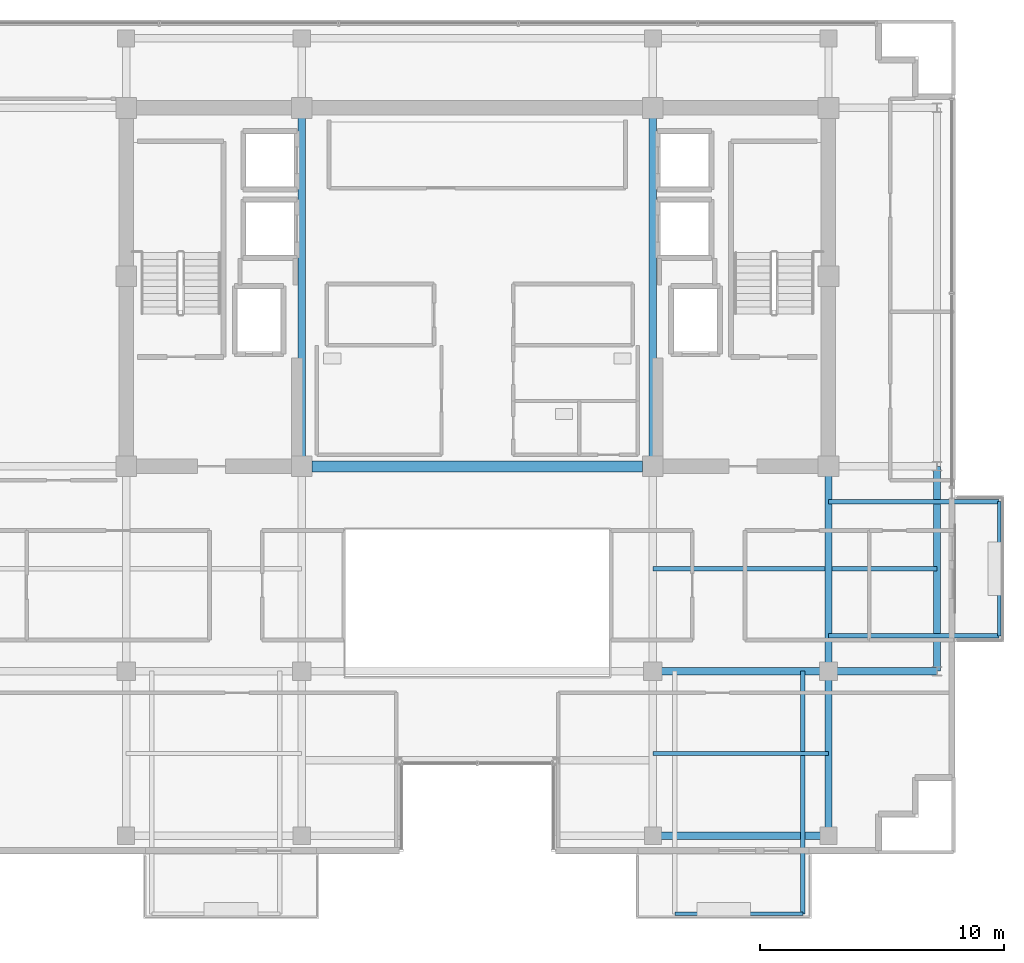
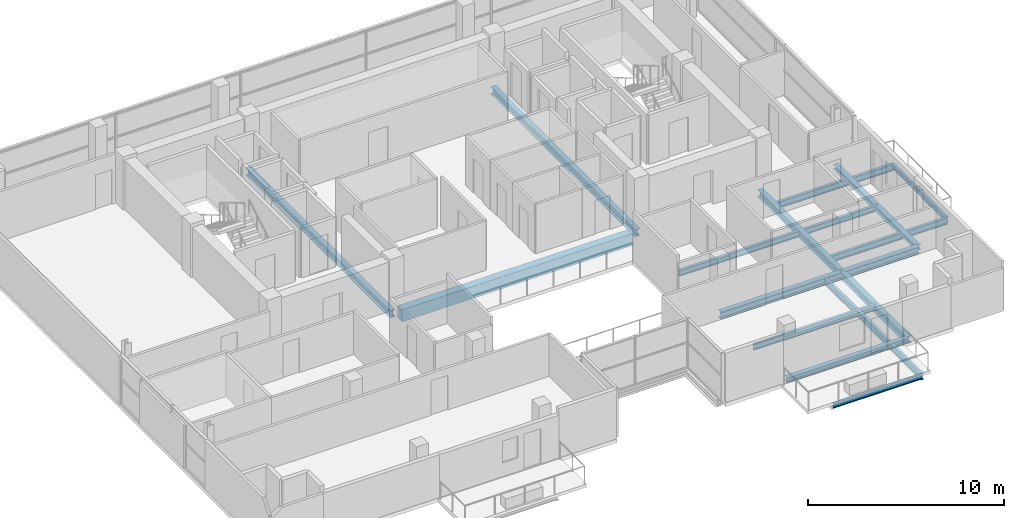
# One storey, part 10 of 23: 17 beams.
"""IFC4 building model written with IfcOpenShell, lengths in metres."""

from ifc_helpers import new_model, si_unit, direction, frame, origin, origin_2d, place, context, subcontext, project, spatial, rectangle, i_section, extrude, material, material_profile, profile_set, type_object, element, save


model = new_model("IFC4")

# Units and contexts
model_context = context("Model", 3, precision=1e-05, world=origin(), true_north=direction((0.0, 1.0)))
body_context = subcontext(model_context, "Body", "Model", "MODEL_VIEW")
ifc_project = project(units=[si_unit("LENGTHUNIT", "METRE"), si_unit("AREAUNIT", "SQUARE_METRE"), si_unit("VOLUMEUNIT", "CUBIC_METRE"), si_unit("PLANEANGLEUNIT", "RADIAN"), si_unit("MASSUNIT", "GRAM", prefix="KILO")], contexts=[model_context])

# Site, building, storey
site_placement = place(None, origin())
site = spatial("IfcSite", under=ifc_project, at=site_placement, CompositionType="ELEMENT")
building_placement = place(site_placement, origin())
building = spatial("IfcBuilding", under=site, at=building_placement, Name="Zarnakvel Exchange Tower", CompositionType="ELEMENT")
storey_placement = place(building_placement, frame((0.0, 0.0, 218.800048828125)))
storey = spatial("IfcBuildingStorey", under=building, at=storey_placement, Name="L61", CompositionType="ELEMENT", Elevation=218.800048828125)

# Beams
ifc_material_1 = material(Name="Steel S355", Category="steel")
ifc_material_profile_1 = material_profile(ifc_material_1, i_section(OverallWidth=0.179931640625, OverallDepth=0.39990234375, WebThickness=0.008544921875, FlangeThickness=0.013427734375, FilletRadius=0.02099609375, at=origin_2d()))
ifc_profile_set_1 = profile_set([ifc_material_profile_1], Name="Steel S355")
beam_type_1 = type_object("IfcBeamType", Name="B-06", PredefinedType="JOIST", material=ifc_profile_set_1)
beam_1_placement = place(storey_placement, frame((13.35009765625, -9.60009765625, -0.425048828125), z_axis=(0.0, -1.0, 0.0), x_axis=(1.0, 0.0, 0.0)))
element("IfcBeam", 1, at=beam_1_placement, inside=storey, type_object=beam_type_1, Name="L61 Continuous Back-Spanned Balcony Beam E", PredefinedType="JOIST", context=body_context, shape_type="SweptSolid", body=[
    extrude(i_section(OverallWidth=0.179931640625, OverallDepth=0.39990234375, WebThickness=0.008544921875, FlangeThickness=0.013427734375, FilletRadius=0.02099609375, at=origin_2d()), origin(), (0.0, 0.0, 1.0), 9.949951171875),
])
for number, where, z_axis, x_axis, name in (
    (2, (14.39990234375, -8.14990234375, -0.425048828125), (1.0, 0.0, 0.0), (0.0, 1.0, 0.0), "L61 Continuous East Loggia Beam S"),
    (3, (14.39990234375, -2.64990234375, -0.425048828125), (1.0, 0.0, 0.0), (0.0, 1.0, 0.0), "L61 Continuous East Loggia Beam N"),
):
    element("IfcBeam", number, at=place(storey_placement, frame(where, z_axis=z_axis, x_axis=x_axis)), inside=storey, type_object=beam_type_1, Name=name, PredefinedType="JOIST", context=body_context, shape_type="SweptSolid", body=[
        extrude(i_section(OverallWidth=0.179931640625, OverallDepth=0.39990234375, WebThickness=0.008544921875, FlangeThickness=0.013427734375, FilletRadius=0.02099609375, at=origin_2d()), origin(), (0.0, 0.0, 1.0), 7.0),
    ])
ifc_material_profile_2 = material_profile(ifc_material_1, i_section(OverallWidth=0.169921875, OverallDepth=0.360107421875, WebThickness=0.008056640625, FlangeThickness=0.0126953125, FilletRadius=0.01806640625, at=origin_2d()))
ifc_profile_set_2 = profile_set([ifc_material_profile_2], Name="Steel S355")
beam_type_2 = type_object("IfcBeamType", Name="B-07", PredefinedType="JOIST", material=ifc_profile_set_2)
beam_2_placement = place(storey_placement, frame((7.199951171875, -12.97509765625, -0.405029296875), z_axis=(1.0, 0.0, 0.0), x_axis=(0.0, 1.0, 0.0)))
element("IfcBeam", 4, at=beam_2_placement, inside=storey, type_object=beam_type_2, Name="L61 Composite Floor Secondary Joist", PredefinedType="JOIST", context=body_context, shape_type="SweptSolid", body=[
    extrude(i_section(OverallWidth=0.169921875, OverallDepth=0.360107421875, WebThickness=0.008056640625, FlangeThickness=0.0126953125, FilletRadius=0.01806640625, at=origin_2d()), origin(), (0.0, 0.0, 1.0), 7.199951171875),
])
beam_3_placement = place(storey_placement, frame((7.199951171875, -5.39990234375, -0.405029296875), z_axis=(1.0, 0.0, 0.0), x_axis=(0.0, 1.0, 0.0)))
element("IfcBeam", 5, at=beam_3_placement, inside=storey, type_object=beam_type_2, Name="L61 Composite Floor Secondary Joist", PredefinedType="JOIST", context=body_context, shape_type="SweptSolid", body=[
    extrude(i_section(OverallWidth=0.169921875, OverallDepth=0.360107421875, WebThickness=0.008056640625, FlangeThickness=0.0126953125, FilletRadius=0.01806640625, at=origin_2d()), origin(), (0.0, 0.0, 1.0), 7.050048828125),
])
beam_4_placement = place(storey_placement, frame((14.550048828125, -5.39990234375, -0.405029296875), z_axis=(1.0, 0.0, 0.0), x_axis=(0.0, 1.0, 0.0)))
element("IfcBeam", 6, at=beam_4_placement, inside=storey, type_object=beam_type_2, Name="L61 Composite Floor Secondary Joist", PredefinedType="JOIST", context=body_context, shape_type="SweptSolid", body=[
    extrude(i_section(OverallWidth=0.169921875, OverallDepth=0.360107421875, WebThickness=0.008056640625, FlangeThickness=0.0126953125, FilletRadius=0.01806640625, at=origin_2d()), origin(), (0.0, 0.0, 1.0), 4.300048828125),
])
ifc_material_profile_3 = material_profile(ifc_material_1, i_section(OverallWidth=0.14990234375, OverallDepth=0.300048828125, WebThickness=0.007080078125, FlangeThickness=0.0107421875, FilletRadius=0.014892578125, at=origin_2d()))
ifc_profile_set_3 = profile_set([ifc_material_profile_3], Name="Steel S355")
beam_type_3 = type_object("IfcBeamType", Name="B-08", PredefinedType="JOIST", material=ifc_profile_set_3)
beam_5_placement = place(storey_placement, frame((8.10009765625, -19.550048828125, -0.375), z_axis=(1.0, 0.0, 0.0), x_axis=(0.0, 1.0, 0.0)))
element("IfcBeam", 7, at=beam_5_placement, inside=storey, type_object=beam_type_3, Name="L61 Balcony Edge Beam", PredefinedType="JOIST", context=body_context, shape_type="SweptSolid", body=[
    extrude(i_section(OverallWidth=0.14990234375, OverallDepth=0.300048828125, WebThickness=0.007080078125, FlangeThickness=0.0107421875, FilletRadius=0.014892578125, at=origin_2d()), origin(), (0.0, 0.0, 1.0), 5.25),
])
beam_6_placement = place(storey_placement, frame((21.39990234375, -8.14990234375, -0.375), z_axis=(0.0, 1.0, 0.0), x_axis=(-1.0, 0.0, 0.0)))
element("IfcBeam", 8, at=beam_6_placement, inside=storey, type_object=beam_type_3, Name="L61 East Loggia Edge Beam", PredefinedType="JOIST", context=body_context, shape_type="SweptSolid", body=[
    extrude(i_section(OverallWidth=0.14990234375, OverallDepth=0.300048828125, WebThickness=0.007080078125, FlangeThickness=0.0107421875, FilletRadius=0.014892578125, at=origin_2d()), origin(), (0.0, 0.0, 1.0), 5.5),
])
ifc_material_2 = material(Name="Concrete C50/60", Category="concrete")
ifc_material_profile_4 = material_profile(ifc_material_2, rectangle(XDim=0.449951171875, YDim=0.75, at=origin_2d()))
ifc_profile_set_4 = profile_set([ifc_material_profile_4], Name="Concrete C50/60")
beam_type_4 = type_object("IfcBeamType", Name="CB-03", PredefinedType="LINTEL", material=ifc_profile_set_4)
beam_7_placement = place(storey_placement, frame((-6.77490234375, -1.199951171875, -0.60009765625), z_axis=(1.0, 0.0, 0.0), x_axis=(0.0, 1.0, 0.0)))
element("IfcBeam", 9, at=beam_7_placement, inside=storey, type_object=beam_type_4, Name="L61 Rear Core South Coupling Beam (CB-03)", PredefinedType="LINTEL", context=body_context, shape_type="SweptSolid", body=[
    extrude(rectangle(XDim=0.449951171875, YDim=0.75, at=origin_2d()), origin(), (0.0, 0.0, 1.0), 13.5498046875),
])
ifc_material_profile_5 = material_profile(ifc_material_1, i_section(OverallWidth=0.300048828125, OverallDepth=0.449951171875, WebThickness=0.013916015625, FlangeThickness=0.02587890625, FilletRadius=0.027099609375, at=origin_2d()))
ifc_profile_set_5 = profile_set([ifc_material_profile_5], Name="Steel S355")
beam_type_5 = type_object("IfcBeamType", Name="G-07", PredefinedType="BEAM", material=ifc_profile_set_5)
beam_8_placement = place(storey_placement, frame((7.199951171875, -9.60009765625, -0.449951171875), z_axis=(1.0, 0.0, 0.0), x_axis=(0.0, 1.0, 0.0)))
element("IfcBeam", 10, at=beam_8_placement, inside=storey, type_object=beam_type_5, Name="L61 Tower E-W Frame Beam", PredefinedType="BEAM", context=body_context, shape_type="SweptSolid", body=[
    extrude(i_section(OverallWidth=0.300048828125, OverallDepth=0.449951171875, WebThickness=0.013916015625, FlangeThickness=0.02587890625, FilletRadius=0.027099609375, at=origin_2d()), origin(), (0.0, 0.0, 1.0), 7.199951171875),
])
beam_9_placement = place(storey_placement, frame((14.39990234375, -9.60009765625, -0.449951171875), z_axis=(1.0, 0.0, 0.0), x_axis=(0.0, 1.0, 0.0)))
element("IfcBeam", 11, at=beam_9_placement, inside=storey, type_object=beam_type_5, Name="L61 Tower E-W Frame Beam", PredefinedType="BEAM", context=body_context, shape_type="SweptSolid", body=[
    extrude(i_section(OverallWidth=0.300048828125, OverallDepth=0.449951171875, WebThickness=0.013916015625, FlangeThickness=0.02587890625, FilletRadius=0.027099609375, at=origin_2d()), origin(), (0.0, 0.0, 1.0), 4.4501953125),
])
for number, where, z_axis, x_axis, name in (
    (12, (-7.199951171875, -1.199951171875, -0.449951171875), (0.0, 1.0, 0.0), (-1.0, 0.0, 0.0), "L61 Tower N-S Frame Beam"),
    (13, (7.199951171875, -1.199951171875, -0.449951171875), (0.0, 1.0, 0.0), (-1.0, 0.0, 0.0), "L61 Tower N-S Frame Beam"),
):
    element("IfcBeam", number, at=place(storey_placement, frame(where, z_axis=z_axis, x_axis=x_axis)), inside=storey, type_object=beam_type_5, Name=name, PredefinedType="BEAM", context=body_context, shape_type="SweptSolid", body=[
        extrude(i_section(OverallWidth=0.300048828125, OverallDepth=0.449951171875, WebThickness=0.013916015625, FlangeThickness=0.02587890625, FilletRadius=0.027099609375, at=origin_2d()), origin(), (0.0, 0.0, 1.0), 14.699951171875),
    ])
beam_10_placement = place(storey_placement, frame((14.39990234375, -16.35009765625, -0.449951171875), z_axis=(0.0, 1.0, 0.0), x_axis=(-1.0, 0.0, 0.0)))
element("IfcBeam", 14, at=beam_10_placement, inside=storey, type_object=beam_type_5, Name="L61 Tower N-S Frame Beam", PredefinedType="BEAM", context=body_context, shape_type="SweptSolid", body=[
    extrude(i_section(OverallWidth=0.300048828125, OverallDepth=0.449951171875, WebThickness=0.013916015625, FlangeThickness=0.02587890625, FilletRadius=0.027099609375, at=origin_2d()), origin(), (0.0, 0.0, 1.0), 6.75),
])
beam_11_placement = place(storey_placement, frame((14.39990234375, -9.60009765625, -0.449951171875), z_axis=(0.0, 1.0, 0.0), x_axis=(-1.0, 0.0, 0.0)))
element("IfcBeam", 15, at=beam_11_placement, inside=storey, type_object=beam_type_5, Name="L61 Tower N-S Frame Beam", PredefinedType="BEAM", context=body_context, shape_type="SweptSolid", body=[
    extrude(i_section(OverallWidth=0.300048828125, OverallDepth=0.449951171875, WebThickness=0.013916015625, FlangeThickness=0.02587890625, FilletRadius=0.027099609375, at=origin_2d()), origin(), (0.0, 0.0, 1.0), 8.400146484375),
])
ifc_material_profile_6 = material_profile(ifc_material_1, i_section(OverallWidth=0.300048828125, OverallDepth=0.300048828125, WebThickness=0.010986328125, FlangeThickness=0.01904296875, FilletRadius=0.027099609375, at=origin_2d()))
ifc_profile_set_6 = profile_set([ifc_material_profile_6], Name="Steel S355")
beam_type_6 = type_object("IfcBeamType", Name="SP-03", PredefinedType="SPANDREL", material=ifc_profile_set_6)
beam_12_placement = place(storey_placement, frame((7.199951171875, -16.35009765625, -0.375), z_axis=(1.0, 0.0, 0.0), x_axis=(0.0, 1.0, 0.0)))
element("IfcBeam", 16, at=beam_12_placement, inside=storey, type_object=beam_type_6, Name="L61 Tower E-W Frame Beam", PredefinedType="SPANDREL", context=body_context, shape_type="SweptSolid", body=[
    extrude(i_section(OverallWidth=0.300048828125, OverallDepth=0.300048828125, WebThickness=0.010986328125, FlangeThickness=0.01904296875, FilletRadius=0.027099609375, at=origin_2d()), origin(), (0.0, 0.0, 1.0), 7.199951171875),
])
beam_13_placement = place(storey_placement, frame((18.85009765625, -9.60009765625, -0.375), z_axis=(0.0, 1.0, 0.0), x_axis=(-1.0, 0.0, 0.0)))
element("IfcBeam", 17, at=beam_13_placement, inside=storey, type_object=beam_type_6, Name="L61 Tower N-S Frame Beam", PredefinedType="SPANDREL", context=body_context, shape_type="SweptSolid", body=[
    extrude(i_section(OverallWidth=0.300048828125, OverallDepth=0.300048828125, WebThickness=0.010986328125, FlangeThickness=0.01904296875, FilletRadius=0.027099609375, at=origin_2d()), origin(), (0.0, 0.0, 1.0), 8.400146484375),
])

save(model, "model.ifc")
